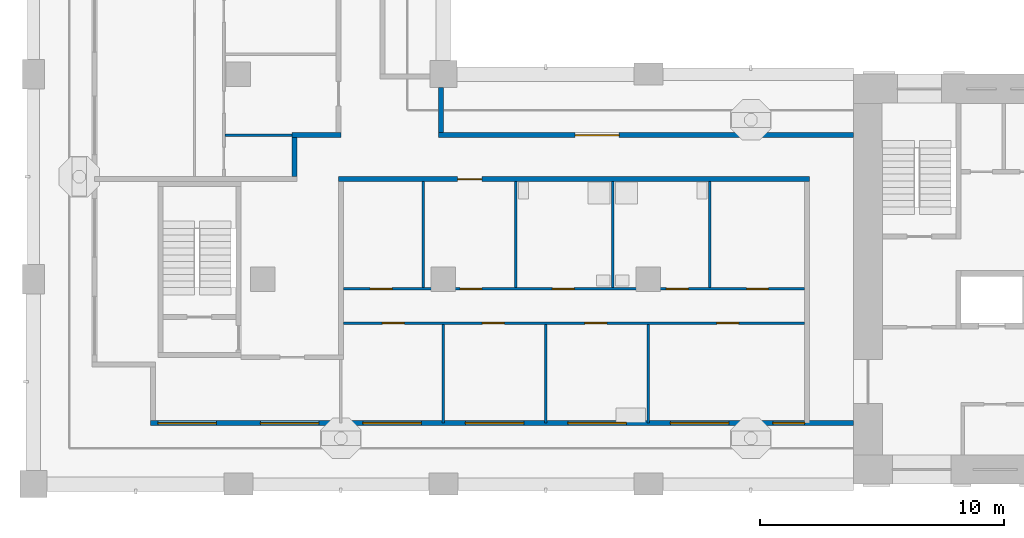
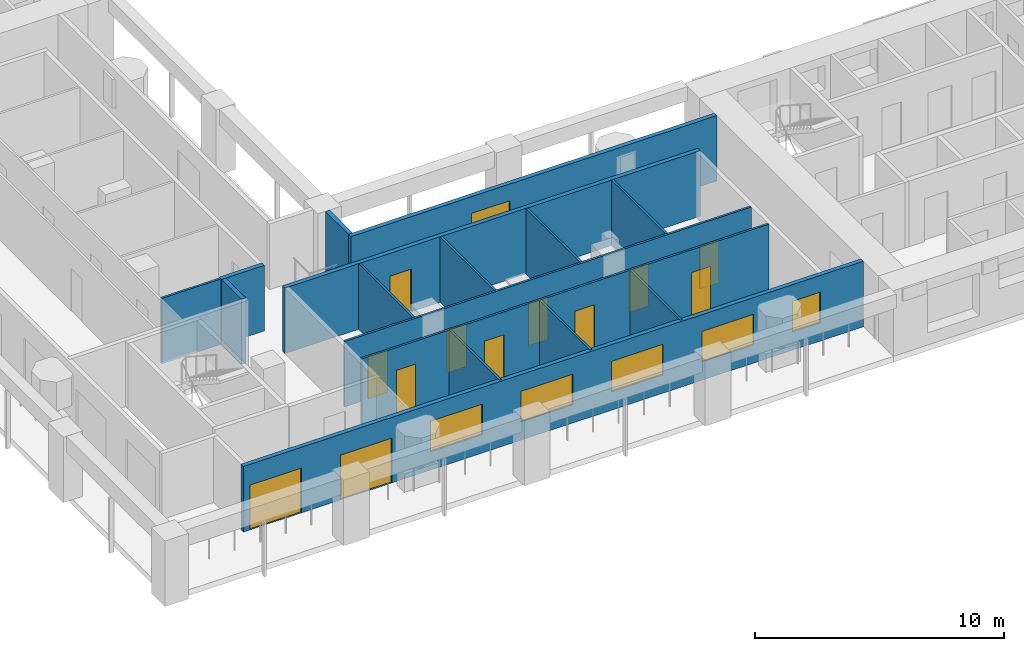
# One storey, part 2 of 13: 16 walls, 13 doors, 5 windows, 18 openings.
"""IFC4 building model written with IfcOpenShell, lengths in metres."""

import ifcopenshell
import ifcopenshell.guid

model = None  # the IFC model being written
_history = None  # IfcOwnerHistory: only IFC2X3 demands one
_inside = {}  # id of a spatial element -> (the spatial element, [elements in it])
_under = {}  # id of a project, library or spatial element -> (it, [spatial elements below it])
_declared = {}  # id of a project -> (the project, [libraries it declares])
_typed = {}  # id of a type object -> (the type object, [elements of that type])
_made_of = {}  # id of a material, layer set ... -> (it, [elements and type objects made of it])


def new_model(schema):
    """Start an empty IFC model of exactly this schema.

    Asked for "IFC4X3", IfcOpenShell would pick the latest addendum, in which some entities
    have other attributes; the version numbers below select the first issue.
    IFC2X3 requires an IfcOwnerHistory on every rooted entity: one is made here for all.
    """
    global model, _history
    if schema == "IFC4X3":
        model = ifcopenshell.file(schema_version=(4, 3, 0, 0))
    else:
        model = ifcopenshell.file(schema=schema)
    _inside.clear()
    _under.clear()
    _declared.clear()
    _typed.clear()
    _made_of.clear()
    _history = None
    if model.schema == "IFC2X3":
        org = make("IfcOrganization", Name="unknown")
        user = make(
            "IfcPersonAndOrganization",
            ThePerson=make("IfcPerson", FamilyName="unknown"),
            TheOrganization=org,
        )
        app = make(
            "IfcApplication",
            ApplicationDeveloper=org,
            Version="unknown",
            ApplicationFullName="unknown",
            ApplicationIdentifier="unknown",
        )
        _history = make(
            "IfcOwnerHistory",
            OwningUser=user,
            OwningApplication=app,
            ChangeAction="ADDED",
            CreationDate=0,
        )
    return model


def make(cls, **values):
    """One entity of the class cls with the attributes given. An attribute that is None is left unset."""
    return model.create_entity(
        cls, **{name: value for name, value in values.items() if value is not None}
    )


def rooted(cls, **values):
    """An entity with a GlobalId (a new one), such as an element, a storey or a relation."""
    return make(cls, GlobalId=ifcopenshell.guid.new(), OwnerHistory=_history, **values)


def si_unit(unit_type, name, prefix=None):
    """IfcSIUnit, for example si_unit("LENGTHUNIT", "METRE", prefix="MILLI")."""
    return make("IfcSIUnit", UnitType=unit_type, Prefix=prefix, Name=name)


def assignment(units):
    """IfcUnitAssignment: the units of a project."""
    return None if units is None else make("IfcUnitAssignment", Units=units)


def point(xyz):
    """IfcCartesianPoint."""
    return None if xyz is None else make("IfcCartesianPoint", Coordinates=xyz)


def direction(xyz):
    """IfcDirection."""
    return None if xyz is None else make("IfcDirection", DirectionRatios=xyz)


def frame(location, z_axis=None, x_axis=None):
    """IfcAxis2Placement3D, a coordinate frame: its origin and axes. An axis left out is left unset."""
    return make(
        "IfcAxis2Placement3D",
        Location=point(location),
        Axis=direction(z_axis),
        RefDirection=direction(x_axis),
    )


def frame_2d(location, x_axis=None):
    """IfcAxis2Placement2D, a coordinate frame in the plane: its origin and x axis."""
    return make(
        "IfcAxis2Placement2D", Location=point(location), RefDirection=direction(x_axis)
    )


def origin():
    """The frame at (0, 0, 0) with its axes left unset."""
    return frame((0.0, 0.0, 0.0))


def place(relative_to, where):
    """IfcLocalPlacement: puts the frame where relative to a parent placement (None: the world)."""
    return make(
        "IfcLocalPlacement", PlacementRelTo=relative_to, RelativePlacement=where
    )


def context(
    kind, dimensions, precision=None, world=None, true_north=None, identifier=None
):
    """IfcGeometricRepresentationContext, for example the 3D "Model" context."""
    return make(
        "IfcGeometricRepresentationContext",
        ContextIdentifier=identifier,
        ContextType=kind,
        CoordinateSpaceDimension=dimensions,
        Precision=precision,
        WorldCoordinateSystem=world,
        TrueNorth=true_north,
    )


def subcontext(parent, identifier, kind, view, scale=None):
    """IfcGeometricRepresentationSubContext, for example "Body" below "Model"."""
    return make(
        "IfcGeometricRepresentationSubContext",
        ContextIdentifier=identifier,
        ContextType=kind,
        ParentContext=parent,
        TargetScale=scale,
        TargetView=view,
    )


def project(units=None, contexts=None):
    """IfcProject with its units and contexts."""
    return rooted(
        "IfcProject",
        Name="project",
        RepresentationContexts=contexts,
        UnitsInContext=assignment(units),
    )


def spatial(cls, under=None, at=None, **own):
    """A site, building, storey or space (cls), placed at a placement, below another one or the project."""
    s = rooted(cls, ObjectPlacement=at, **own)
    if under is not None:
        _under.setdefault(under.id(), (under, []))[1].append(s)
    return s


def profile(cls, at=None, kind="AREA", **sizes):
    """A parametric profile (cls). Its sizes go by their IFC names, for example OverallWidth=200.0."""
    return make(cls, ProfileType=kind, Position=at, **sizes)


def rectangle(**sizes):
    """IfcRectangleProfileDef."""
    return profile("IfcRectangleProfileDef", **sizes)


def extrude(swept, where, along, depth):
    """IfcExtrudedAreaSolid: the profile swept, set in the frame where, extruded along a direction by depth."""
    return make(
        "IfcExtrudedAreaSolid",
        SweptArea=swept,
        Position=where,
        ExtrudedDirection=direction(along),
        Depth=depth,
    )


def shape(context_of_items, identifier, shape_type, items):
    """IfcShapeRepresentation: the items that make up one representation, for example the "Body"."""
    return make(
        "IfcShapeRepresentation",
        ContextOfItems=context_of_items,
        RepresentationIdentifier=identifier,
        RepresentationType=shape_type,
        Items=items,
    )


def material(Name=None, Category=None):
    """IfcMaterial."""
    return make("IfcMaterial", Name=Name, Category=Category)


def layer(
    of_material, thickness, ventilated=None, Name=None, Category=None, Priority=None
):
    """IfcMaterialLayer: one layer of a wall or slab, of a material (None: an air gap)."""
    return make(
        "IfcMaterialLayer",
        Material=of_material,
        LayerThickness=thickness,
        IsVentilated=ventilated,
        Name=Name,
        Category=Category,
        Priority=Priority,
    )


def layer_set(layers, Name=None):
    """IfcMaterialLayerSet."""
    return make("IfcMaterialLayerSet", MaterialLayers=layers, LayerSetName=Name)


def made_of(thing, what):
    """Note that an element or type object is made of a material, layer set ...; save() writes the relation."""
    if what is not None:
        _made_of.setdefault(what.id(), (what, []))[1].append(thing)
    return thing


def type_object(cls, material=None, **own):
    """A type object (cls), such as IfcWallType, which elements share."""
    return made_of(rooted(cls, **own), material)


def element(
    cls,
    number,
    at=None,
    inside=None,
    cuts=None,
    type_object=None,
    material=None,
    context=None,
    identifier="Body",
    shape_type=None,
    held_by="IfcProductDefinitionShape",
    body=None,
    shapes=None,
    **own,
):
    """One element of the class cls, such as IfcWall. Its Tag is "e" and its number.

    at: its placement. inside: the storey or other place that contains it. cuts: it is an
    opening in that element (IfcRelVoidsElement). A single representation is given by context,
    identifier, shape_type and body (its items); several are given by shapes. held_by: the class
    of the entity that holds the representations. save() writes the other relations.
    """
    e = rooted(cls, Tag="e%d" % number, ObjectPlacement=at, **own)
    if body is not None:
        shapes = [shape(context, identifier, shape_type, body)]
    if shapes is not None:
        e.Representation = make(held_by, Representations=shapes)
    if inside is not None:
        _inside.setdefault(inside.id(), (inside, []))[1].append(e)
    if cuts is not None:
        rooted(
            "IfcRelVoidsElement", RelatingBuildingElement=cuts, RelatedOpeningElement=e
        )
    if type_object is not None:
        _typed.setdefault(type_object.id(), (type_object, []))[1].append(e)
    return made_of(e, material)


def fill(opening, filler):
    """IfcRelFillsElement: the door or window that sits in an opening."""
    return rooted(
        "IfcRelFillsElement",
        RelatingOpeningElement=opening,
        RelatedBuildingElement=filler,
    )


def aggregate(whole, parts):
    """IfcRelAggregates: a whole, such as a stair, and the parts it consists of."""
    return rooted("IfcRelAggregates", RelatingObject=whole, RelatedObjects=parts)


def save(model, path):
    """Write the relations noted so far, then the file.

    IfcRelAggregates (storeys below a building ...), IfcRelContainedInSpatialStructure (elements
    in a storey), IfcRelDefinesByType, IfcRelAssociatesMaterial and IfcRelDeclares: one each for
    every whole, place, type object, material and project.
    """
    for whole, parts in _under.values():
        aggregate(whole, parts)
    for where, things in _inside.values():
        rooted(
            "IfcRelContainedInSpatialStructure",
            RelatedElements=things,
            RelatingStructure=where,
        )
    for kind, things in _typed.values():
        rooted("IfcRelDefinesByType", RelatedObjects=things, RelatingType=kind)
    for what, things in _made_of.values():
        rooted("IfcRelAssociatesMaterial", RelatedObjects=things, RelatingMaterial=what)
    for by, libraries in _declared.values():
        rooted("IfcRelDeclares", RelatingContext=by, RelatedDefinitions=libraries)
    model.write(path)


model = new_model("IFC4")

# Units and contexts
model_context = context("Model", 3, precision=1e-05, world=origin(), true_north=direction((0.0, 1.0)))
body_context = subcontext(model_context, "Body", "Model", "MODEL_VIEW")
ifc_project = project(units=[si_unit("LENGTHUNIT", "METRE"), si_unit("AREAUNIT", "SQUARE_METRE"), si_unit("VOLUMEUNIT", "CUBIC_METRE"), si_unit("PLANEANGLEUNIT", "RADIAN"), si_unit("MASSUNIT", "GRAM", prefix="KILO")], contexts=[model_context])

# Site, building, storey
site_placement = place(None, origin())
site = spatial("IfcSite", under=ifc_project, at=site_placement, CompositionType="ELEMENT")
building_placement = place(site_placement, origin())
building = spatial("IfcBuilding", under=site, at=building_placement, Name="Vermilion Gate Residences", CompositionType="ELEMENT")
storey_placement = place(building_placement, frame((0.0, 0.0, 189.699951171875)))
storey = spatial("IfcBuildingStorey", under=building, at=storey_placement, Name="L49", CompositionType="ELEMENT", Elevation=189.699951171875)

# Wall, openings, doors, windows
ifc_material_1 = material(Name="Insulated steel stud wall with terracotta rainscreen", Category="masonry")
ifc_layer_1 = layer(ifc_material_1, 0.199951171875)
ifc_layer_set_1 = layer_set([ifc_layer_1], Name="EXTERNAL WALL 200 TERRACOTTA RAINSCREEN")
wall_type_1 = type_object("IfcWallType", Name="EXTERNAL WALL 200 TERRACOTTA RAINSCREEN", PredefinedType="SOLIDWALL", material=ifc_layer_set_1)
wall_1_placement = place(storey_placement, frame((13.199951171875, 10.89990234375, 0.0), z_axis=(0.0, 0.0, 1.0), x_axis=(1.0, 0.0, 0.0)))
wall_1 = element("IfcWall", 1, at=wall_1_placement, inside=storey, type_object=wall_type_1, Name="External wall", PredefinedType="SOLIDWALL", context=body_context, shape_type="SweptSolid", body=[
    extrude(rectangle(XDim=28.800048828125, YDim=0.199951171875, at=frame_2d((14.39990234375, 0.0))), origin(), (0.0, 0.0, 1.0), 3.219970703125),
])
opening_1_placement = place(wall_1_placement, frame((0.300048828125, 0.0, 0.0)))
opening_1 = element("IfcOpeningElement", 2, at=opening_1_placement, cuts=wall_1, Name="Opening DE49008", PredefinedType="OPENING", context=body_context, shape_type="SweptSolid", body=[
    extrude(rectangle(XDim=2.39990234375, YDim=2.199951171875, at=frame_2d((1.199951171875, 1.10009765625))), frame((0.0, 0.10986328125, 0.0), z_axis=(0.0, -1.0, 0.0), x_axis=(1.0, 0.0, 0.0)), (0.0, 0.0, 1.0), 0.219970703125),
])
opening_2_placement = place(wall_1_placement, frame((4.5, 0.0, 0.0)))
opening_2 = element("IfcOpeningElement", 3, at=opening_2_placement, cuts=wall_1, Name="Opening DE49009", PredefinedType="OPENING", context=body_context, shape_type="SweptSolid", body=[
    extrude(rectangle(XDim=2.39990234375, YDim=2.199951171875, at=frame_2d((1.199951171875, 1.10009765625))), frame((0.0, 0.10986328125, 0.0), z_axis=(0.0, -1.0, 0.0), x_axis=(1.0, 0.0, 0.0)), (0.0, 0.0, 1.0), 0.219970703125),
])
opening_3_placement = place(wall_1_placement, frame((8.699951171875, 0.0, 0.89990234375)))
opening_3 = element("IfcOpeningElement", 4, at=opening_3_placement, cuts=wall_1, Name="Opening WE49010", PredefinedType="OPENING", context=body_context, shape_type="SweptSolid", body=[
    extrude(rectangle(XDim=2.39990234375, YDim=1.5, at=frame_2d((1.199951171875, 0.75))), frame((0.0, 0.10986328125, 0.0), z_axis=(0.0, -1.0, 0.0), x_axis=(1.0, 0.0, 0.0)), (0.0, 0.0, 1.0), 0.219970703125),
])
opening_4_placement = place(wall_1_placement, frame((12.89990234375, 0.0, 0.89990234375)))
opening_4 = element("IfcOpeningElement", 5, at=opening_4_placement, cuts=wall_1, Name="Opening WE49011", PredefinedType="OPENING", context=body_context, shape_type="SweptSolid", body=[
    extrude(rectangle(XDim=2.39990234375, YDim=1.5, at=frame_2d((1.199951171875, 0.75))), frame((0.0, 0.10986328125, 0.0), z_axis=(0.0, -1.0, 0.0), x_axis=(1.0, 0.0, 0.0)), (0.0, 0.0, 1.0), 0.219970703125),
])
opening_5_placement = place(wall_1_placement, frame((17.10009765625, 0.0, 0.89990234375)))
opening_5 = element("IfcOpeningElement", 6, at=opening_5_placement, cuts=wall_1, Name="Opening WE49012", PredefinedType="OPENING", context=body_context, shape_type="SweptSolid", body=[
    extrude(rectangle(XDim=2.39990234375, YDim=1.5, at=frame_2d((1.199951171875, 0.75))), frame((0.0, 0.10986328125, 0.0), z_axis=(0.0, -1.0, 0.0), x_axis=(1.0, 0.0, 0.0)), (0.0, 0.0, 1.0), 0.219970703125),
])
opening_6_placement = place(wall_1_placement, frame((21.300048828125, 0.0, 0.89990234375)))
opening_6 = element("IfcOpeningElement", 7, at=opening_6_placement, cuts=wall_1, Name="Opening WE49013", PredefinedType="OPENING", context=body_context, shape_type="SweptSolid", body=[
    extrude(rectangle(XDim=2.39990234375, YDim=1.5, at=frame_2d((1.199951171875, 0.75))), frame((0.0, 0.10986328125, 0.0), z_axis=(0.0, -1.0, 0.0), x_axis=(1.0, 0.0, 0.0)), (0.0, 0.0, 1.0), 0.219970703125),
])
opening_7_placement = place(wall_1_placement, frame((25.5, 0.0, 0.89990234375)))
opening_7 = element("IfcOpeningElement", 8, at=opening_7_placement, cuts=wall_1, Name="Opening WE49014", PredefinedType="OPENING", context=body_context, shape_type="SweptSolid", body=[
    extrude(rectangle(XDim=1.300048828125, YDim=1.5, at=frame_2d((0.64990234375, 0.75))), frame((0.0, 0.10986328125, 0.0), z_axis=(0.0, -1.0, 0.0), x_axis=(1.0, 0.0, 0.0)), (0.0, 0.0, 1.0), 0.219970703125),
])
ifc_material_2 = material(Name="Aluminium and clear glass", Category="aluminium")
door_type_1 = type_object("IfcDoorType", Name="SLIDING GLAZED DOOR 2400 X 2200", OperationType="DOUBLE_DOOR_SLIDING", PredefinedType="DOOR", material=ifc_material_2)
door_1_placement = place(opening_1_placement, origin())
door_1 = element("IfcDoor", 9, at=door_1_placement, inside=storey, type_object=door_type_1, Name="Loggia sliding door", OperationType="DOUBLE_DOOR_SLIDING", OverallHeight=2.199951171875, OverallWidth=2.39990234375, PredefinedType="DOOR", context=body_context, shape_type="SweptSolid", body=[
    extrude(rectangle(XDim=2.39990234375, YDim=2.199951171875, at=frame_2d((1.199951171875, 1.10009765625))), frame((0.0, 0.02490234375, 0.0), z_axis=(0.0, -1.0, 0.0), x_axis=(1.0, 0.0, 0.0)), (0.0, 0.0, 1.0), 0.050048828125),
])
fill(opening_1, door_1)
door_2_placement = place(opening_2_placement, origin())
door_2 = element("IfcDoor", 10, at=door_2_placement, inside=storey, type_object=door_type_1, Name="Loggia sliding door", OperationType="DOUBLE_DOOR_SLIDING", OverallHeight=2.199951171875, OverallWidth=2.39990234375, PredefinedType="DOOR", context=body_context, shape_type="SweptSolid", body=[
    extrude(rectangle(XDim=2.39990234375, YDim=2.199951171875, at=frame_2d((1.199951171875, 1.10009765625))), frame((0.0, 0.02490234375, 0.0), z_axis=(0.0, -1.0, 0.0), x_axis=(1.0, 0.0, 0.0)), (0.0, 0.0, 1.0), 0.050048828125),
])
fill(opening_2, door_2)
ifc_material_3 = material(Name="Aluminium and clear glass", Category="aluminium")
window_type_1 = type_object("IfcWindowType", Name="WINDOW 1300 X 1500", PartitioningType="SINGLE_PANEL", PredefinedType="WINDOW", material=ifc_material_3)
window_1_placement = place(opening_7_placement, origin())
window_1 = element("IfcWindow", 11, at=window_1_placement, inside=storey, type_object=window_type_1, Name="Window", OverallHeight=1.5, OverallWidth=1.300048828125, PartitioningType="SINGLE_PANEL", PredefinedType="WINDOW", context=body_context, shape_type="SweptSolid", body=[
    extrude(rectangle(XDim=1.300048828125, YDim=1.5, at=frame_2d((0.64990234375, 0.75))), frame((0.0, 0.030029296875, 0.0), z_axis=(0.0, -1.0, 0.0), x_axis=(1.0, 0.0, 0.0)), (0.0, 0.0, 1.0), 0.06005859375),
])
fill(opening_7, window_1)
ifc_material_4 = material(Name="Aluminium and clear glass", Category="aluminium")
window_type_2 = type_object("IfcWindowType", Name="WINDOW 2400 X 1500", PartitioningType="SINGLE_PANEL", PredefinedType="WINDOW", material=ifc_material_4)
window_2_placement = place(opening_3_placement, origin())
window_2 = element("IfcWindow", 12, at=window_2_placement, inside=storey, type_object=window_type_2, Name="Window", OverallHeight=1.5, OverallWidth=2.39990234375, PartitioningType="SINGLE_PANEL", PredefinedType="WINDOW", context=body_context, shape_type="SweptSolid", body=[
    extrude(rectangle(XDim=2.39990234375, YDim=1.5, at=frame_2d((1.199951171875, 0.75))), frame((0.0, 0.030029296875, 0.0), z_axis=(0.0, -1.0, 0.0), x_axis=(1.0, 0.0, 0.0)), (0.0, 0.0, 1.0), 0.06005859375),
])
fill(opening_3, window_2)
window_3_placement = place(opening_4_placement, origin())
window_3 = element("IfcWindow", 13, at=window_3_placement, inside=storey, type_object=window_type_2, Name="Window", OverallHeight=1.5, OverallWidth=2.39990234375, PartitioningType="SINGLE_PANEL", PredefinedType="WINDOW", context=body_context, shape_type="SweptSolid", body=[
    extrude(rectangle(XDim=2.39990234375, YDim=1.5, at=frame_2d((1.199951171875, 0.75))), frame((0.0, 0.030029296875, 0.0), z_axis=(0.0, -1.0, 0.0), x_axis=(1.0, 0.0, 0.0)), (0.0, 0.0, 1.0), 0.06005859375),
])
fill(opening_4, window_3)
window_4_placement = place(opening_5_placement, origin())
window_4 = element("IfcWindow", 14, at=window_4_placement, inside=storey, type_object=window_type_2, Name="Window", OverallHeight=1.5, OverallWidth=2.39990234375, PartitioningType="SINGLE_PANEL", PredefinedType="WINDOW", context=body_context, shape_type="SweptSolid", body=[
    extrude(rectangle(XDim=2.39990234375, YDim=1.5, at=frame_2d((1.199951171875, 0.75))), frame((0.0, 0.030029296875, 0.0), z_axis=(0.0, -1.0, 0.0), x_axis=(1.0, 0.0, 0.0)), (0.0, 0.0, 1.0), 0.06005859375),
])
fill(opening_5, window_4)
window_5_placement = place(opening_6_placement, origin())
window_5 = element("IfcWindow", 15, at=window_5_placement, inside=storey, type_object=window_type_2, Name="Window", OverallHeight=1.5, OverallWidth=2.39990234375, PartitioningType="SINGLE_PANEL", PredefinedType="WINDOW", context=body_context, shape_type="SweptSolid", body=[
    extrude(rectangle(XDim=2.39990234375, YDim=1.5, at=frame_2d((1.199951171875, 0.75))), frame((0.0, 0.030029296875, 0.0), z_axis=(0.0, -1.0, 0.0), x_axis=(1.0, 0.0, 0.0)), (0.0, 0.0, 1.0), 0.06005859375),
])
fill(opening_6, window_5)

# Wall, opening, door
wall_2_placement = place(storey_placement, frame((42.0, 22.699951171875, 0.0), z_axis=(0.0, 0.0, 1.0), x_axis=(-1.0, 0.0, 0.0)))
wall_2 = element("IfcWall", 16, at=wall_2_placement, inside=storey, type_object=wall_type_1, Name="External wall", PredefinedType="SOLIDWALL", context=body_context, shape_type="SweptSolid", body=[
    extrude(rectangle(XDim=17.0, YDim=0.199951171875, at=frame_2d((8.5, 0.0))), origin(), (0.0, 0.0, 1.0), 3.219970703125),
])
opening_8_placement = place(wall_2_placement, frame((9.60009765625, 0.0, 0.0)))
opening_8 = element("IfcOpeningElement", 17, at=opening_8_placement, cuts=wall_2, Name="Opening DE49020", PredefinedType="OPENING", context=body_context, shape_type="SweptSolid", body=[
    extrude(rectangle(XDim=1.800048828125, YDim=2.39990234375, at=frame_2d((0.89990234375, 1.199951171875))), frame((0.0, 0.10986328125, 0.0), z_axis=(0.0, -1.0, 0.0), x_axis=(1.0, 0.0, 0.0)), (0.0, 0.0, 1.0), 0.219970703125),
])
ifc_material_5 = material(Name="Aluminium and clear glass", Category="aluminium")
door_type_2 = type_object("IfcDoorType", Name="GLAZED EXTERNAL DOOR 1800 X 2400", OperationType="DOUBLE_DOOR_SINGLE_SWING", PredefinedType="DOOR", material=ifc_material_5)
door_3_placement = place(opening_8_placement, frame((1.800048828125, 0.0, 0.0), z_axis=(0.0, 0.0, 1.0), x_axis=(-1.0, 0.0, 0.0)))
door_3 = element("IfcDoor", 18, at=door_3_placement, inside=storey, type_object=door_type_2, Name="Gallery door", OperationType="DOUBLE_DOOR_SINGLE_SWING", OverallHeight=2.39990234375, OverallWidth=1.800048828125, PredefinedType="DOOR", context=body_context, shape_type="SweptSolid", body=[
    extrude(rectangle(XDim=1.800048828125, YDim=2.39990234375, at=frame_2d((0.89990234375, 1.199951171875))), frame((0.0, 0.02490234375, 0.0), z_axis=(0.0, -1.0, 0.0), x_axis=(1.0, 0.0, 0.0)), (0.0, 0.0, 1.0), 0.050048828125),
])
fill(opening_8, door_3)

# Wall
wall_3_placement = place(storey_placement, frame((25.10009765625, 22.800048828125, 0.0), z_axis=(0.0, 0.0, 1.0), x_axis=(0.0, 1.0, 0.0)))
element("IfcWall", 19, at=wall_3_placement, inside=storey, type_object=wall_type_1, Name="External wall", PredefinedType="SOLIDWALL", context=body_context, shape_type="SweptSolid", body=[
    extrude(rectangle(XDim=1.849853515625, YDim=0.199951171875, at=frame_2d((0.9248046875, 0.0))), origin(), (0.0, 0.0, 1.0), 3.219970703125),
])

# Wall, openings, doors
ifc_material_6 = material(Name="Plasterboard on steel studs", Category="steel")
ifc_layer_2 = layer(ifc_material_6, 0.10009765625)
ifc_layer_set_2 = layer_set([ifc_layer_2], Name="PARTITION 100")
wall_type_2 = type_object("IfcWallType", Name="PARTITION 100", PredefinedType="PARTITIONING", material=ifc_layer_set_2)
wall_4_placement = place(storey_placement, frame((21.10009765625, 15.0, 0.0), z_axis=(0.0, 0.0, 1.0), x_axis=(1.0, 0.0, 0.0)))
wall_4 = element("IfcWall", 20, at=wall_4_placement, inside=storey, type_object=wall_type_2, Name="Partition", PredefinedType="PARTITIONING", context=body_context, shape_type="SweptSolid", body=[
    extrude(rectangle(XDim=18.89990234375, YDim=0.10009765625, at=frame_2d((9.449951171875, 0.0))), origin(), (0.0, 0.0, 1.0), 3.219970703125),
])
opening_9_placement = place(wall_4_placement, frame((1.60009765625, 0.0, 0.0)))
opening_9 = element("IfcOpeningElement", 21, at=opening_9_placement, cuts=wall_4, Name="Opening DA49002", PredefinedType="OPENING", context=body_context, shape_type="SweptSolid", body=[
    extrude(rectangle(XDim=0.89990234375, YDim=2.10009765625, at=frame_2d((0.449951171875, 1.050048828125))), frame((0.0, 0.06005859375, 0.0), z_axis=(0.0, -1.0, 0.0), x_axis=(1.0, 0.0, 0.0)), (0.0, 0.0, 1.0), 0.1201171875),
])
opening_10_placement = place(wall_4_placement, frame((5.699951171875, 0.0, 0.0)))
opening_10 = element("IfcOpeningElement", 22, at=opening_10_placement, cuts=wall_4, Name="Opening DA49003", PredefinedType="OPENING", context=body_context, shape_type="SweptSolid", body=[
    extrude(rectangle(XDim=0.89990234375, YDim=2.10009765625, at=frame_2d((0.449951171875, 1.050048828125))), frame((0.0, 0.06005859375, 0.0), z_axis=(0.0, -1.0, 0.0), x_axis=(1.0, 0.0, 0.0)), (0.0, 0.0, 1.0), 0.1201171875),
])
opening_11_placement = place(wall_4_placement, frame((9.89990234375, 0.0, 0.0)))
opening_11 = element("IfcOpeningElement", 23, at=opening_11_placement, cuts=wall_4, Name="Opening DA49004", PredefinedType="OPENING", context=body_context, shape_type="SweptSolid", body=[
    extrude(rectangle(XDim=0.89990234375, YDim=2.10009765625, at=frame_2d((0.449951171875, 1.050048828125))), frame((0.0, 0.06005859375, 0.0), z_axis=(0.0, -1.0, 0.0), x_axis=(1.0, 0.0, 0.0)), (0.0, 0.0, 1.0), 0.1201171875),
])
opening_12_placement = place(wall_4_placement, frame((15.300048828125, 0.0, 0.0)))
opening_12 = element("IfcOpeningElement", 24, at=opening_12_placement, cuts=wall_4, Name="Opening DA49005", PredefinedType="OPENING", context=body_context, shape_type="SweptSolid", body=[
    extrude(rectangle(XDim=0.89990234375, YDim=2.10009765625, at=frame_2d((0.449951171875, 1.050048828125))), frame((0.0, 0.06005859375, 0.0), z_axis=(0.0, -1.0, 0.0), x_axis=(1.0, 0.0, 0.0)), (0.0, 0.0, 1.0), 0.1201171875),
])
ifc_material_7 = material(Name="Timber", Category="wood")
door_type_3 = type_object("IfcDoorType", Name="INTERIOR DOOR 900 X 2100", OperationType="SINGLE_SWING_LEFT", PredefinedType="DOOR", material=ifc_material_7)
door_4_placement = place(opening_9_placement, frame((0.89990234375, 0.0, 0.0), z_axis=(0.0, 0.0, 1.0), x_axis=(-1.0, 0.0, 0.0)))
door_4 = element("IfcDoor", 25, at=door_4_placement, inside=storey, type_object=door_type_3, Name="Interior door", OperationType="SINGLE_SWING_LEFT", OverallHeight=2.10009765625, OverallWidth=0.89990234375, PredefinedType="DOOR", context=body_context, shape_type="SweptSolid", body=[
    extrude(rectangle(XDim=0.89990234375, YDim=2.10009765625, at=frame_2d((0.449951171875, 1.050048828125))), frame((0.0, 0.02490234375, 0.0), z_axis=(0.0, -1.0, 0.0), x_axis=(1.0, 0.0, 0.0)), (0.0, 0.0, 1.0), 0.050048828125),
])
fill(opening_9, door_4)
door_5_placement = place(opening_10_placement, frame((0.89990234375, 0.0, 0.0), z_axis=(0.0, 0.0, 1.0), x_axis=(-1.0, 0.0, 0.0)))
door_5 = element("IfcDoor", 26, at=door_5_placement, inside=storey, type_object=door_type_3, Name="Interior door", OperationType="SINGLE_SWING_RIGHT", OverallHeight=2.10009765625, OverallWidth=0.89990234375, PredefinedType="DOOR", context=body_context, shape_type="SweptSolid", body=[
    extrude(rectangle(XDim=0.89990234375, YDim=2.10009765625, at=frame_2d((0.449951171875, 1.050048828125))), frame((0.0, 0.02490234375, 0.0), z_axis=(0.0, -1.0, 0.0), x_axis=(1.0, 0.0, 0.0)), (0.0, 0.0, 1.0), 0.050048828125),
])
fill(opening_10, door_5)
door_6_placement = place(opening_11_placement, frame((0.89990234375, 0.0, 0.0), z_axis=(0.0, 0.0, 1.0), x_axis=(-1.0, 0.0, 0.0)))
door_6 = element("IfcDoor", 27, at=door_6_placement, inside=storey, type_object=door_type_3, Name="Interior door", OperationType="SINGLE_SWING_RIGHT", OverallHeight=2.10009765625, OverallWidth=0.89990234375, PredefinedType="DOOR", context=body_context, shape_type="SweptSolid", body=[
    extrude(rectangle(XDim=0.89990234375, YDim=2.10009765625, at=frame_2d((0.449951171875, 1.050048828125))), frame((0.0, 0.02490234375, 0.0), z_axis=(0.0, -1.0, 0.0), x_axis=(1.0, 0.0, 0.0)), (0.0, 0.0, 1.0), 0.050048828125),
])
fill(opening_11, door_6)
door_7_placement = place(opening_12_placement, frame((0.89990234375, 0.0, 0.0), z_axis=(0.0, 0.0, 1.0), x_axis=(-1.0, 0.0, 0.0)))
door_7 = element("IfcDoor", 28, at=door_7_placement, inside=storey, type_object=door_type_3, Name="Interior door", OperationType="SINGLE_SWING_LEFT", OverallHeight=2.10009765625, OverallWidth=0.89990234375, PredefinedType="DOOR", context=body_context, shape_type="SweptSolid", body=[
    extrude(rectangle(XDim=0.89990234375, YDim=2.10009765625, at=frame_2d((0.449951171875, 1.050048828125))), frame((0.0, 0.02490234375, 0.0), z_axis=(0.0, -1.0, 0.0), x_axis=(1.0, 0.0, 0.0)), (0.0, 0.0, 1.0), 0.050048828125),
])
fill(opening_12, door_7)

wall_5_placement = place(storey_placement, frame((21.10009765625, 16.39990234375, 0.0), z_axis=(0.0, 0.0, 1.0), x_axis=(1.0, 0.0, 0.0)))
wall_5 = element("IfcWall", 29, at=wall_5_placement, inside=storey, type_object=wall_type_2, Name="Partition", PredefinedType="PARTITIONING", context=body_context, shape_type="SweptSolid", body=[
    extrude(rectangle(XDim=18.89990234375, YDim=0.10009765625, at=frame_2d((9.449951171875, 0.0))), origin(), (0.0, 0.0, 1.0), 3.219970703125),
])
opening_13_placement = place(wall_5_placement, frame((4.780029296875, 0.0, 0.0)))
opening_13 = element("IfcOpeningElement", 30, at=opening_13_placement, cuts=wall_5, Name="Opening DA49006", PredefinedType="OPENING", context=body_context, shape_type="SweptSolid", body=[
    extrude(rectangle(XDim=0.89990234375, YDim=2.10009765625, at=frame_2d((0.449951171875, 1.050048828125))), frame((0.0, 0.06005859375, 0.0), z_axis=(0.0, -1.0, 0.0), x_axis=(1.0, 0.0, 0.0)), (0.0, 0.0, 1.0), 0.1201171875),
])
opening_14_placement = place(wall_5_placement, frame((1.10009765625, 0.0, 0.0)))
opening_14 = element("IfcOpeningElement", 31, at=opening_14_placement, cuts=wall_5, Name="Opening DA49007", PredefinedType="OPENING", context=body_context, shape_type="SweptSolid", body=[
    extrude(rectangle(XDim=0.89990234375, YDim=2.10009765625, at=frame_2d((0.449951171875, 1.050048828125))), frame((0.0, 0.06005859375, 0.0), z_axis=(0.0, -1.0, 0.0), x_axis=(1.0, 0.0, 0.0)), (0.0, 0.0, 1.0), 0.1201171875),
])
opening_15_placement = place(wall_5_placement, frame((8.56005859375, 0.0, 0.0)))
opening_15 = element("IfcOpeningElement", 32, at=opening_15_placement, cuts=wall_5, Name="Opening DA49008", PredefinedType="OPENING", context=body_context, shape_type="SweptSolid", body=[
    extrude(rectangle(XDim=0.89990234375, YDim=2.10009765625, at=frame_2d((0.449951171875, 1.050048828125))), frame((0.0, 0.06005859375, 0.0), z_axis=(0.0, -1.0, 0.0), x_axis=(1.0, 0.0, 0.0)), (0.0, 0.0, 1.0), 0.1201171875),
])
opening_16_placement = place(wall_5_placement, frame((13.239990234375, 0.0, 0.0)))
opening_16 = element("IfcOpeningElement", 33, at=opening_16_placement, cuts=wall_5, Name="Opening DA49009", PredefinedType="OPENING", context=body_context, shape_type="SweptSolid", body=[
    extrude(rectangle(XDim=0.89990234375, YDim=2.10009765625, at=frame_2d((0.449951171875, 1.050048828125))), frame((0.0, 0.06005859375, 0.0), z_axis=(0.0, -1.0, 0.0), x_axis=(1.0, 0.0, 0.0)), (0.0, 0.0, 1.0), 0.1201171875),
])
opening_17_placement = place(wall_5_placement, frame((16.52001953125, 0.0, 0.0)))
opening_17 = element("IfcOpeningElement", 34, at=opening_17_placement, cuts=wall_5, Name="Opening DA49010", PredefinedType="OPENING", context=body_context, shape_type="SweptSolid", body=[
    extrude(rectangle(XDim=0.89990234375, YDim=2.10009765625, at=frame_2d((0.449951171875, 1.050048828125))), frame((0.0, 0.06005859375, 0.0), z_axis=(0.0, -1.0, 0.0), x_axis=(1.0, 0.0, 0.0)), (0.0, 0.0, 1.0), 0.1201171875),
])
door_8_placement = place(opening_13_placement, origin())
door_8 = element("IfcDoor", 35, at=door_8_placement, inside=storey, type_object=door_type_3, Name="Interior door", OperationType="SINGLE_SWING_LEFT", OverallHeight=2.10009765625, OverallWidth=0.89990234375, PredefinedType="DOOR", context=body_context, shape_type="SweptSolid", body=[
    extrude(rectangle(XDim=0.89990234375, YDim=2.10009765625, at=frame_2d((0.449951171875, 1.050048828125))), frame((0.0, 0.02490234375, 0.0), z_axis=(0.0, -1.0, 0.0), x_axis=(1.0, 0.0, 0.0)), (0.0, 0.0, 1.0), 0.050048828125),
])
fill(opening_13, door_8)
door_9_placement = place(opening_14_placement, origin())
door_9 = element("IfcDoor", 36, at=door_9_placement, inside=storey, type_object=door_type_3, Name="Interior door", OperationType="SINGLE_SWING_LEFT", OverallHeight=2.10009765625, OverallWidth=0.89990234375, PredefinedType="DOOR", context=body_context, shape_type="SweptSolid", body=[
    extrude(rectangle(XDim=0.89990234375, YDim=2.10009765625, at=frame_2d((0.449951171875, 1.050048828125))), frame((0.0, 0.02490234375, 0.0), z_axis=(0.0, -1.0, 0.0), x_axis=(1.0, 0.0, 0.0)), (0.0, 0.0, 1.0), 0.050048828125),
])
fill(opening_14, door_9)
door_10_placement = place(opening_15_placement, origin())
door_10 = element("IfcDoor", 37, at=door_10_placement, inside=storey, type_object=door_type_3, Name="Interior door", OperationType="SINGLE_SWING_RIGHT", OverallHeight=2.10009765625, OverallWidth=0.89990234375, PredefinedType="DOOR", context=body_context, shape_type="SweptSolid", body=[
    extrude(rectangle(XDim=0.89990234375, YDim=2.10009765625, at=frame_2d((0.449951171875, 1.050048828125))), frame((0.0, 0.02490234375, 0.0), z_axis=(0.0, -1.0, 0.0), x_axis=(1.0, 0.0, 0.0)), (0.0, 0.0, 1.0), 0.050048828125),
])
fill(opening_15, door_10)
door_11_placement = place(opening_16_placement, origin())
door_11 = element("IfcDoor", 38, at=door_11_placement, inside=storey, type_object=door_type_3, Name="Interior door", OperationType="SINGLE_SWING_LEFT", OverallHeight=2.10009765625, OverallWidth=0.89990234375, PredefinedType="DOOR", context=body_context, shape_type="SweptSolid", body=[
    extrude(rectangle(XDim=0.89990234375, YDim=2.10009765625, at=frame_2d((0.449951171875, 1.050048828125))), frame((0.0, 0.02490234375, 0.0), z_axis=(0.0, -1.0, 0.0), x_axis=(1.0, 0.0, 0.0)), (0.0, 0.0, 1.0), 0.050048828125),
])
fill(opening_16, door_11)
door_12_placement = place(opening_17_placement, origin())
door_12 = element("IfcDoor", 39, at=door_12_placement, inside=storey, type_object=door_type_3, Name="Interior door", OperationType="SINGLE_SWING_LEFT", OverallHeight=2.10009765625, OverallWidth=0.89990234375, PredefinedType="DOOR", context=body_context, shape_type="SweptSolid", body=[
    extrude(rectangle(XDim=0.89990234375, YDim=2.10009765625, at=frame_2d((0.449951171875, 1.050048828125))), frame((0.0, 0.02490234375, 0.0), z_axis=(0.0, -1.0, 0.0), x_axis=(1.0, 0.0, 0.0)), (0.0, 0.0, 1.0), 0.050048828125),
])
fill(opening_17, door_12)

# Walls
wall_6_placement = place(storey_placement, frame((16.25, 22.699951171875, 0.0), z_axis=(0.0, 0.0, 1.0), x_axis=(1.0, 0.0, 0.0)))
element("IfcWall", 40, at=wall_6_placement, inside=storey, type_object=wall_type_2, Name="Partition", PredefinedType="PARTITIONING", context=body_context, shape_type="SweptSolid", body=[
    extrude(rectangle(XDim=2.75, YDim=0.10009765625, at=frame_2d((1.375, 0.0))), origin(), (0.0, 0.0, 1.0), 3.219970703125),
])
wall_7_placement = place(storey_placement, frame((24.3798828125, 16.449951171875, 0.0), z_axis=(0.0, 0.0, 1.0), x_axis=(0.0, 1.0, 0.0)))
element("IfcWall", 41, at=wall_7_placement, inside=storey, type_object=wall_type_2, Name="Partition", PredefinedType="PARTITIONING", context=body_context, shape_type="SweptSolid", body=[
    extrude(rectangle(XDim=4.35009765625, YDim=0.10009765625, at=frame_2d((2.175048828125, 0.0))), origin(), (0.0, 0.0, 1.0), 3.219970703125),
])
wall_8_placement = place(storey_placement, frame((25.199951171875, 10.89990234375, 0.0), z_axis=(0.0, 0.0, 1.0), x_axis=(0.0, 1.0, 0.0)))
element("IfcWall", 42, at=wall_8_placement, inside=storey, type_object=wall_type_2, Name="Partition", PredefinedType="PARTITIONING", context=body_context, shape_type="SweptSolid", body=[
    extrude(rectangle(XDim=4.050048828125, YDim=0.10009765625, at=frame_2d((2.02490234375, 0.0))), origin(), (0.0, 0.0, 1.0), 3.219970703125),
])
wall_9_placement = place(storey_placement, frame((28.159912109375, 16.449951171875, 0.0), z_axis=(0.0, 0.0, 1.0), x_axis=(0.0, 1.0, 0.0)))
element("IfcWall", 43, at=wall_9_placement, inside=storey, type_object=wall_type_2, Name="Partition", PredefinedType="PARTITIONING", context=body_context, shape_type="SweptSolid", body=[
    extrude(rectangle(XDim=4.35009765625, YDim=0.10009765625, at=frame_2d((2.175048828125, 0.0))), origin(), (0.0, 0.0, 1.0), 3.219970703125),
])
wall_10_placement = place(storey_placement, frame((29.39990234375, 10.89990234375, 0.0), z_axis=(0.0, 0.0, 1.0), x_axis=(0.0, 1.0, 0.0)))
element("IfcWall", 44, at=wall_10_placement, inside=storey, type_object=wall_type_2, Name="Partition", PredefinedType="PARTITIONING", context=body_context, shape_type="SweptSolid", body=[
    extrude(rectangle(XDim=4.050048828125, YDim=0.10009765625, at=frame_2d((2.02490234375, 0.0))), origin(), (0.0, 0.0, 1.0), 3.219970703125),
])
wall_11_placement = place(storey_placement, frame((32.139892578125, 16.449951171875, 0.0), z_axis=(0.0, 0.0, 1.0), x_axis=(0.0, 1.0, 0.0)))
element("IfcWall", 45, at=wall_11_placement, inside=storey, type_object=wall_type_2, Name="Partition", PredefinedType="PARTITIONING", context=body_context, shape_type="SweptSolid", body=[
    extrude(rectangle(XDim=4.35009765625, YDim=0.10009765625, at=frame_2d((2.175048828125, 0.0))), origin(), (0.0, 0.0, 1.0), 3.219970703125),
])
wall_12_placement = place(storey_placement, frame((33.60009765625, 10.89990234375, 0.0), z_axis=(0.0, 0.0, 1.0), x_axis=(0.0, 1.0, 0.0)))
element("IfcWall", 46, at=wall_12_placement, inside=storey, type_object=wall_type_2, Name="Partition", PredefinedType="PARTITIONING", context=body_context, shape_type="SweptSolid", body=[
    extrude(rectangle(XDim=4.050048828125, YDim=0.10009765625, at=frame_2d((2.02490234375, 0.0))), origin(), (0.0, 0.0, 1.0), 3.219970703125),
])
wall_13_placement = place(storey_placement, frame((36.1201171875, 16.449951171875, 0.0), z_axis=(0.0, 0.0, 1.0), x_axis=(0.0, 1.0, 0.0)))
element("IfcWall", 47, at=wall_13_placement, inside=storey, type_object=wall_type_2, Name="Partition", PredefinedType="PARTITIONING", context=body_context, shape_type="SweptSolid", body=[
    extrude(rectangle(XDim=4.35009765625, YDim=0.10009765625, at=frame_2d((2.175048828125, 0.0))), origin(), (0.0, 0.0, 1.0), 3.219970703125),
])

# Wall, opening, door
ifc_material_8 = material(Name="Fire-rated plasterboard on steel studs", Category="steel")
ifc_layer_3 = layer(ifc_material_8, 0.199951171875)
ifc_layer_set_3 = layer_set([ifc_layer_3], Name="PARTY WALL 200 EI 120")
wall_type_3 = type_object("IfcWallType", Name="PARTY WALL 200 EI 120", PredefinedType="PARTITIONING", material=ifc_layer_set_3)
wall_14_placement = place(storey_placement, frame((20.89990234375, 20.89990234375, 0.0), z_axis=(0.0, 0.0, 1.0), x_axis=(1.0, 0.0, 0.0)))
wall_14 = element("IfcWall", 48, at=wall_14_placement, inside=storey, type_object=wall_type_3, Name="Party and corridor wall", PredefinedType="PARTITIONING", context=body_context, shape_type="SweptSolid", body=[
    extrude(rectangle(XDim=19.300048828125, YDim=0.199951171875, at=frame_2d((9.64990234375, 0.0))), origin(), (0.0, 0.0, 1.0), 3.219970703125),
])
opening_18_placement = place(wall_14_placement, frame((4.8798828125, 0.0, 0.0)))
opening_18 = element("IfcOpeningElement", 49, at=opening_18_placement, cuts=wall_14, Name="Opening DA49011", PredefinedType="OPENING", context=body_context, shape_type="SweptSolid", body=[
    extrude(rectangle(XDim=1.0, YDim=2.10009765625, at=frame_2d((0.5, 1.050048828125))), frame((0.0, 0.10986328125, 0.0), z_axis=(0.0, -1.0, 0.0), x_axis=(1.0, 0.0, 0.0)), (0.0, 0.0, 1.0), 0.219970703125),
])
ifc_material_9 = material(Name="Steel", Category="steel")
door_type_4 = type_object("IfcDoorType", Name="ENTRANCE DOOR 1000 X 2100 FD30", OperationType="SINGLE_SWING_LEFT", PredefinedType="DOOR", material=ifc_material_9)
door_13_placement = place(opening_18_placement, frame((1.0, 0.0, 0.0), z_axis=(0.0, 0.0, 1.0), x_axis=(-1.0, 0.0, 0.0)))
door_13 = element("IfcDoor", 50, at=door_13_placement, inside=storey, type_object=door_type_4, Name="Entrance door", OperationType="SINGLE_SWING_LEFT", OverallHeight=2.10009765625, OverallWidth=1.0, PredefinedType="DOOR", context=body_context, shape_type="SweptSolid", body=[
    extrude(rectangle(XDim=1.0, YDim=2.10009765625, at=frame_2d((0.5, 1.050048828125))), frame((0.0, 0.02490234375, 0.0), z_axis=(0.0, -1.0, 0.0), x_axis=(1.0, 0.0, 0.0)), (0.0, 0.0, 1.0), 0.050048828125),
])
fill(opening_18, door_13)

# Walls
wall_15_placement = place(storey_placement, frame((19.0, 22.699951171875, 0.0), z_axis=(0.0, 0.0, 1.0), x_axis=(1.0, 0.0, 0.0)))
element("IfcWall", 51, at=wall_15_placement, inside=storey, type_object=wall_type_3, Name="Party and corridor wall", PredefinedType="PARTITIONING", context=body_context, shape_type="SweptSolid", body=[
    extrude(rectangle(XDim=2.0, YDim=0.199951171875, at=frame_2d((1.0, 0.0))), origin(), (0.0, 0.0, 1.0), 3.219970703125),
])
wall_16_placement = place(storey_placement, frame((19.10009765625, 21.0, 0.0), z_axis=(0.0, 0.0, 1.0), x_axis=(0.0, 1.0, 0.0)))
element("IfcWall", 52, at=wall_16_placement, inside=storey, type_object=wall_type_3, Name="Party and corridor wall", PredefinedType="PARTITIONING", context=body_context, shape_type="SweptSolid", body=[
    extrude(rectangle(XDim=1.60009765625, YDim=0.199951171875, at=frame_2d((0.800048828125, 0.0))), origin(), (0.0, 0.0, 1.0), 3.219970703125),
])

save(model, "model.ifc")
